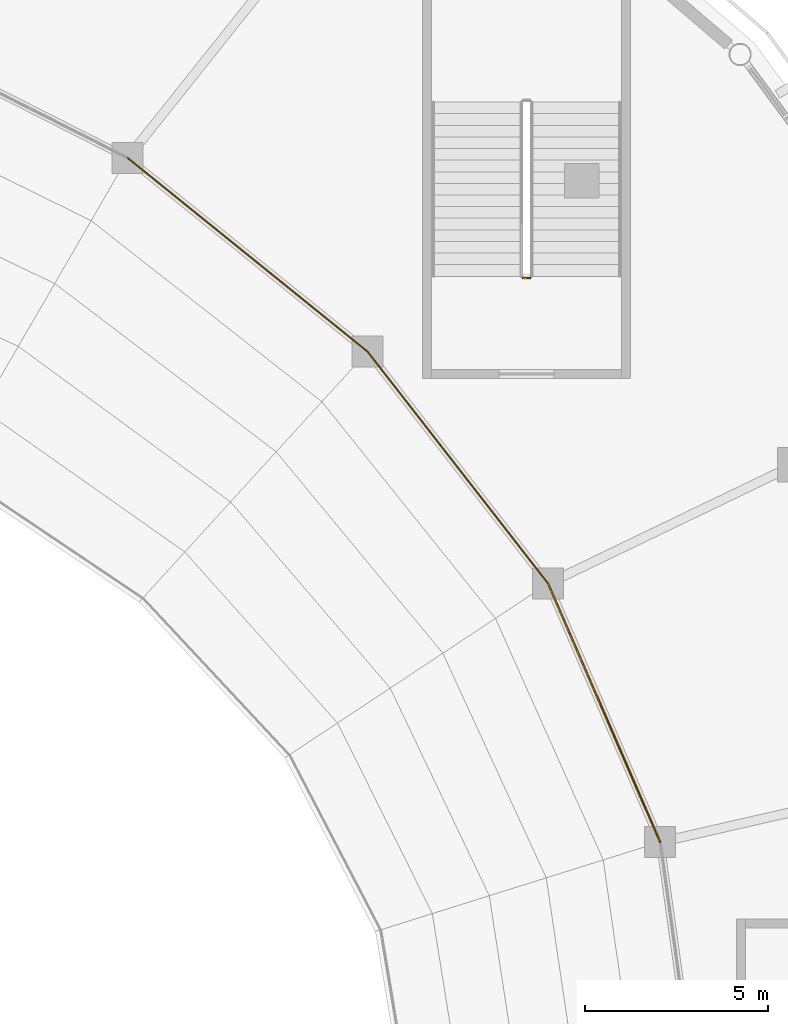
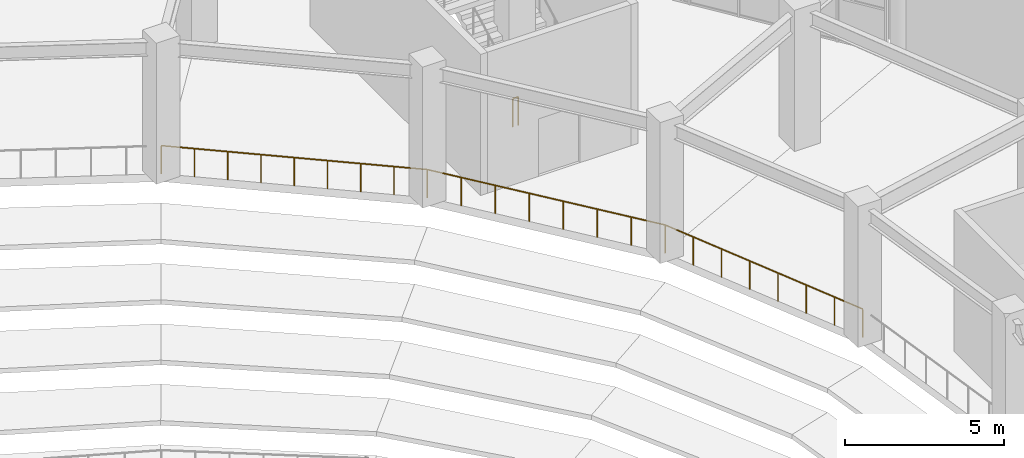
# One storey, part 108 of 120: 4 railings.
"""IFC4 building model written with IfcOpenShell, lengths in metres."""

from ifc_helpers import new_model, si_unit, direction, frame, origin, origin_2d, place, context, subcontext, project, spatial, circle, extrude, material, type_object, element, save


model = new_model("IFC4")

# Units and contexts
model_context = context("Model", 3, precision=1e-05, world=origin(), true_north=direction((0.0, 1.0)))
body_context = subcontext(model_context, "Body", "Model", "MODEL_VIEW")
ifc_project = project(units=[si_unit("LENGTHUNIT", "METRE"), si_unit("AREAUNIT", "SQUARE_METRE"), si_unit("VOLUMEUNIT", "CUBIC_METRE"), si_unit("PLANEANGLEUNIT", "RADIAN"), si_unit("MASSUNIT", "GRAM", prefix="KILO")], contexts=[model_context])

# Site, building, storey
site_placement = place(None, origin())
site = spatial("IfcSite", under=ifc_project, at=site_placement, CompositionType="ELEMENT")
building_placement = place(site_placement, origin())
building = spatial("IfcBuilding", under=site, at=building_placement, Name="Cuetzalor Civic Arena", CompositionType="ELEMENT")
storey_placement = place(building_placement, frame((0.0, 0.0, 6.0)))
storey = spatial("IfcBuildingStorey", under=building, at=storey_placement, Name="L01", CompositionType="ELEMENT", Elevation=6.0)

# Railings
ifc_material_1 = material(Name="Reseda-green Steel S355 and laminated glass guard", Category="steel")
railing_type_1 = type_object("IfcRailingType", Name="BowlSightlineGuard_1100", PredefinedType="BALUSTRADE", material=ifc_material_1)
railing_1_placement = place(storey_placement, frame((40.45947265625, 7.45458984375, 0.0)))
element("IfcRailing", 1, at=railing_1_placement, inside=storey, type_object=railing_type_1, Name="Lower Bowl Concourse Rim Balustrade S02", PredefinedType="BALUSTRADE", context=body_context, shape_type="SweptSolid", body=[
    extrude(circle(Radius=0.02392578125, at=origin_2d()), frame((0.0, 0.0, 1.076171875), z_axis=(-0.397726401809, 0.917504065007, 0.0), x_axis=(-0.917504065007, -0.397726401809, 0.0)), (0.0, 0.0, 1.0), 7.71728515625),
    extrude(circle(Radius=0.02099609375, at=origin_2d()), origin(), (0.0, 0.0, 1.0), 1.052001953125),
    extrude(circle(Radius=0.02099609375, at=origin_2d()), frame((-0.4384765625, 1.011474609375, 0.0)), (0.0, 0.0, 1.0), 1.052001953125),
    extrude(circle(Radius=0.02099609375, at=origin_2d()), frame((-0.876953125, 2.02294921875, 0.0)), (0.0, 0.0, 1.0), 1.052001953125),
    extrude(circle(Radius=0.02099609375, at=origin_2d()), frame((-1.3154296875, 3.034423828125, 0.0)), (0.0, 0.0, 1.0), 1.052001953125),
    extrude(circle(Radius=0.02099609375, at=origin_2d()), frame((-1.75390625, 4.046142578125, 0.0)), (0.0, 0.0, 1.0), 1.052001953125),
    extrude(circle(Radius=0.02099609375, at=origin_2d()), frame((-2.1923828125, 5.0576171875, 0.0)), (0.0, 0.0, 1.0), 1.052001953125),
    extrude(circle(Radius=0.02099609375, at=origin_2d()), frame((-2.630859375, 6.069091796875, 0.0)), (0.0, 0.0, 1.0), 1.052001953125),
    extrude(circle(Radius=0.02099609375, at=origin_2d()), frame((-3.0693359375, 7.08056640625, 0.0)), (0.0, 0.0, 1.0), 1.052001953125),
])
railing_2_placement = place(storey_placement, frame((37.39013671875, 14.53515625, 0.0)))
element("IfcRailing", 2, at=railing_2_placement, inside=storey, type_object=railing_type_1, Name="Lower Bowl Concourse Rim Balustrade S03", PredefinedType="BALUSTRADE", context=body_context, shape_type="SweptSolid", body=[
    extrude(circle(Radius=0.02392578125, at=origin_2d()), frame((0.0, 0.0, 1.076171875), z_axis=(-0.614234549024, 0.78912351301, 0.0), x_axis=(-0.78912351301, -0.614234549024, 0.0)), (0.0, 0.0, 1.0), 8.049072265625),
    extrude(circle(Radius=0.02099609375, at=origin_2d()), origin(), (0.0, 0.0, 1.0), 1.052001953125),
    extrude(circle(Radius=0.02099609375, at=origin_2d()), frame((-0.706298828125, 0.907470703125, 0.0)), (0.0, 0.0, 1.0), 1.052001953125),
    extrude(circle(Radius=0.02099609375, at=origin_2d()), frame((-1.41259765625, 1.814697265625, 0.0)), (0.0, 0.0, 1.0), 1.052001953125),
    extrude(circle(Radius=0.02099609375, at=origin_2d()), frame((-2.118896484375, 2.72216796875, 0.0)), (0.0, 0.0, 1.0), 1.052001953125),
    extrude(circle(Radius=0.02099609375, at=origin_2d()), frame((-2.8251953125, 3.629638671875, 0.0)), (0.0, 0.0, 1.0), 1.052001953125),
    extrude(circle(Radius=0.02099609375, at=origin_2d()), frame((-3.531494140625, 4.537109375, 0.0)), (0.0, 0.0, 1.0), 1.052001953125),
    extrude(circle(Radius=0.02099609375, at=origin_2d()), frame((-4.23779296875, 5.4443359375, 0.0)), (0.0, 0.0, 1.0), 1.052001953125),
    extrude(circle(Radius=0.02099609375, at=origin_2d()), frame((-4.944091796875, 6.351806640625, 0.0)), (0.0, 0.0, 1.0), 1.052001953125),
])
railing_3_placement = place(storey_placement, frame((32.446044921875, 20.886962890625, 0.0)))
element("IfcRailing", 3, at=railing_3_placement, inside=storey, type_object=railing_type_1, Name="Lower Bowl Concourse Rim Balustrade S04", PredefinedType="BALUSTRADE", context=body_context, shape_type="SweptSolid", body=[
    extrude(circle(Radius=0.02392578125, at=origin_2d()), frame((0.0, 0.0, 1.076171875), z_axis=(-0.778122678462, 0.628112328539, 0.0), x_axis=(-0.628112328539, -0.778122678462, 0.0)), (0.0, 0.0, 1.0), 8.445068359375),
    extrude(circle(Radius=0.02099609375, at=origin_2d()), origin(), (0.0, 0.0, 1.0), 1.052001953125),
    extrude(circle(Radius=0.02099609375, at=origin_2d()), frame((-0.8212890625, 0.6630859375, 0.0)), (0.0, 0.0, 1.0), 1.052001953125),
    extrude(circle(Radius=0.02099609375, at=origin_2d()), frame((-1.642822265625, 1.326171875, 0.0)), (0.0, 0.0, 1.0), 1.052001953125),
    extrude(circle(Radius=0.02099609375, at=origin_2d()), frame((-2.46435546875, 1.9892578125, 0.0)), (0.0, 0.0, 1.0), 1.052001953125),
    extrude(circle(Radius=0.02099609375, at=origin_2d()), frame((-3.28564453125, 2.65234375, 0.0)), (0.0, 0.0, 1.0), 1.052001953125),
    extrude(circle(Radius=0.02099609375, at=origin_2d()), frame((-4.10693359375, 3.315185546875, 0.0)), (0.0, 0.0, 1.0), 1.052001953125),
    extrude(circle(Radius=0.02099609375, at=origin_2d()), frame((-4.928466796875, 3.978271484375, 0.0)), (0.0, 0.0, 1.0), 1.052001953125),
    extrude(circle(Radius=0.02099609375, at=origin_2d()), frame((-5.75, 4.641357421875, 0.0)), (0.0, 0.0, 1.0), 1.052001953125),
    extrude(circle(Radius=0.02099609375, at=origin_2d()), frame((-6.5712890625, 5.304443359375, 0.0)), (0.0, 0.0, 1.0), 1.052001953125),
])
ifc_material_2 = material(Name="Reseda-green architectural Steel S355 balustrade", Category="steel")
railing_type_2 = type_object("IfcRailingType", Name="InteriorVoidBalustrade_1100", PredefinedType="BALUSTRADE", material=ifc_material_2)
railing_4_placement = place(storey_placement, frame((36.89990234375, 22.89990234375, 0.0)))
element("IfcRailing", 4, at=railing_4_placement, inside=storey, type_object=railing_type_2, Name="L01 ST-02 stair guard 4", PredefinedType="BALUSTRADE", context=body_context, shape_type="SweptSolid", body=[
    extrude(circle(Radius=0.02392578125, at=origin_2d()), frame((0.0, 0.0, 1.0810546875), z_axis=(-1.0, 0.0, 0.0), x_axis=(0.0, -1.0, 0.0)), (0.0, 0.0, 1.0), 0.199951171875),
    extrude(circle(Radius=0.02099609375, at=origin_2d()), origin(), (0.0, 0.0, 1.0), 1.056884765625),
    extrude(circle(Radius=0.02099609375, at=origin_2d()), frame((-0.199951171875, 0.0, 0.0)), (0.0, 0.0, 1.0), 1.056884765625),
])

save(model, "model.ifc")
